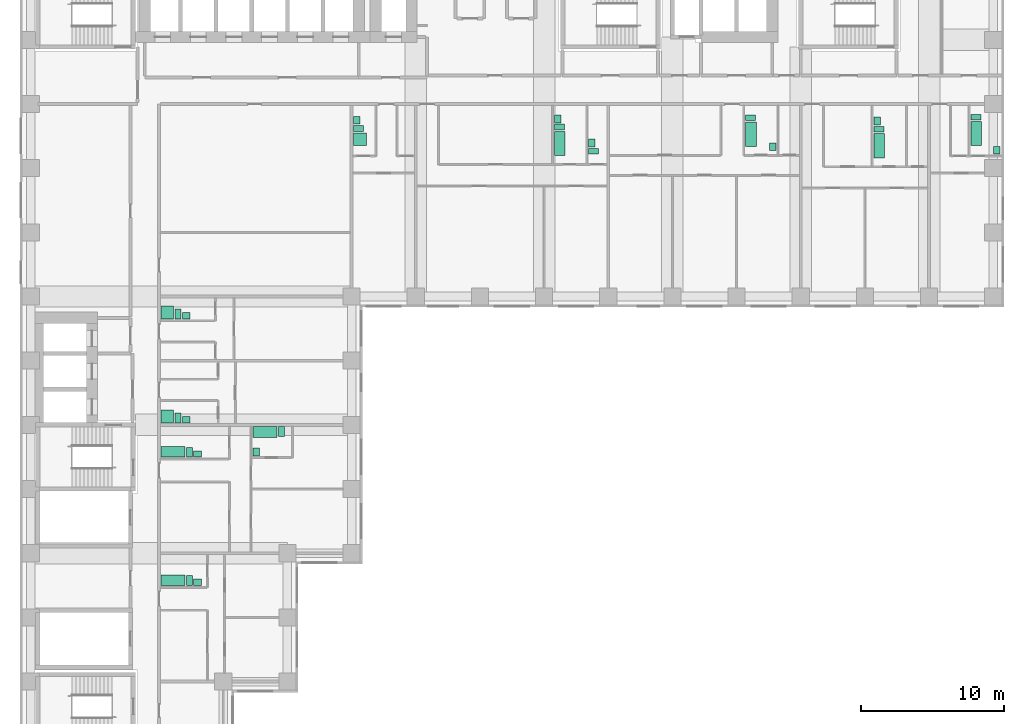
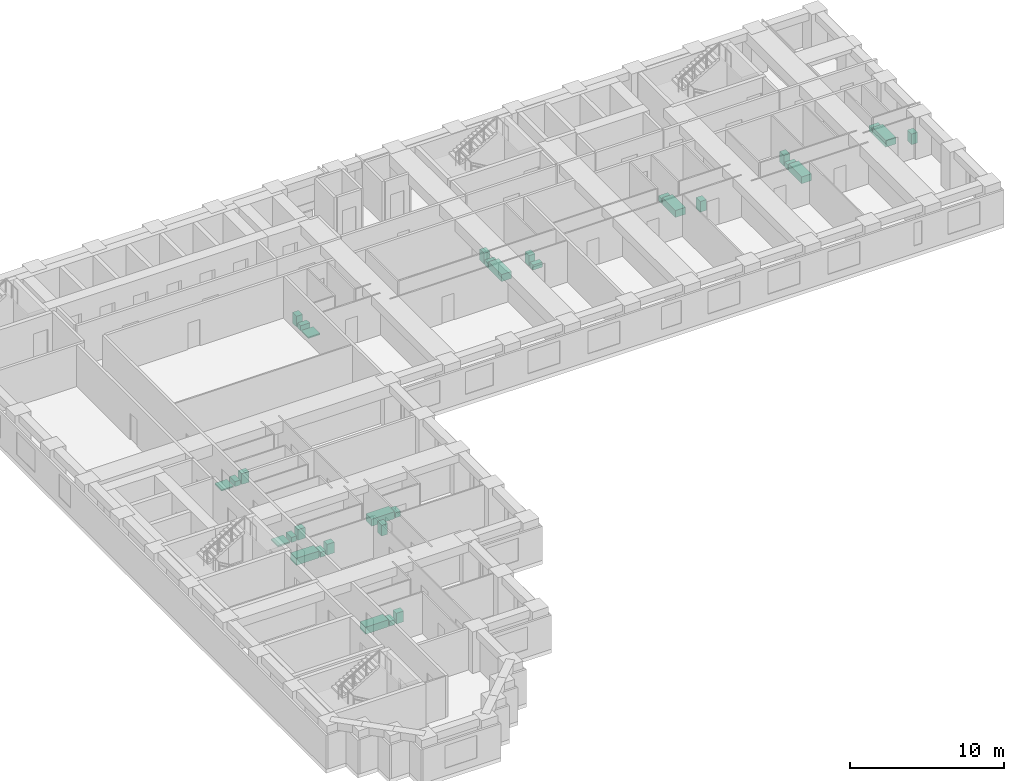
# One storey, part 11 of 11: 32 sanitary terminals.
"""IFC4 building model written with IfcOpenShell, lengths in metres."""

import ifcopenshell
import ifcopenshell.guid

model = None  # the IFC model being written
_history = None  # IfcOwnerHistory: only IFC2X3 demands one
_inside = {}  # id of a spatial element -> (the spatial element, [elements in it])
_under = {}  # id of a project, library or spatial element -> (it, [spatial elements below it])
_declared = {}  # id of a project -> (the project, [libraries it declares])
_typed = {}  # id of a type object -> (the type object, [elements of that type])
_made_of = {}  # id of a material, layer set ... -> (it, [elements and type objects made of it])


def new_model(schema):
    """Start an empty IFC model of exactly this schema.

    Asked for "IFC4X3", IfcOpenShell would pick the latest addendum, in which some entities
    have other attributes; the version numbers below select the first issue.
    IFC2X3 requires an IfcOwnerHistory on every rooted entity: one is made here for all.
    """
    global model, _history
    if schema == "IFC4X3":
        model = ifcopenshell.file(schema_version=(4, 3, 0, 0))
    else:
        model = ifcopenshell.file(schema=schema)
    _inside.clear()
    _under.clear()
    _declared.clear()
    _typed.clear()
    _made_of.clear()
    _history = None
    if model.schema == "IFC2X3":
        org = make("IfcOrganization", Name="unknown")
        user = make(
            "IfcPersonAndOrganization",
            ThePerson=make("IfcPerson", FamilyName="unknown"),
            TheOrganization=org,
        )
        app = make(
            "IfcApplication",
            ApplicationDeveloper=org,
            Version="unknown",
            ApplicationFullName="unknown",
            ApplicationIdentifier="unknown",
        )
        _history = make(
            "IfcOwnerHistory",
            OwningUser=user,
            OwningApplication=app,
            ChangeAction="ADDED",
            CreationDate=0,
        )
    return model


def make(cls, **values):
    """One entity of the class cls with the attributes given. An attribute that is None is left unset."""
    return model.create_entity(
        cls, **{name: value for name, value in values.items() if value is not None}
    )


def rooted(cls, **values):
    """An entity with a GlobalId (a new one), such as an element, a storey or a relation."""
    return make(cls, GlobalId=ifcopenshell.guid.new(), OwnerHistory=_history, **values)


def si_unit(unit_type, name, prefix=None):
    """IfcSIUnit, for example si_unit("LENGTHUNIT", "METRE", prefix="MILLI")."""
    return make("IfcSIUnit", UnitType=unit_type, Prefix=prefix, Name=name)


def assignment(units):
    """IfcUnitAssignment: the units of a project."""
    return None if units is None else make("IfcUnitAssignment", Units=units)


def point(xyz):
    """IfcCartesianPoint."""
    return None if xyz is None else make("IfcCartesianPoint", Coordinates=xyz)


def direction(xyz):
    """IfcDirection."""
    return None if xyz is None else make("IfcDirection", DirectionRatios=xyz)


def frame(location, z_axis=None, x_axis=None):
    """IfcAxis2Placement3D, a coordinate frame: its origin and axes. An axis left out is left unset."""
    return make(
        "IfcAxis2Placement3D",
        Location=point(location),
        Axis=direction(z_axis),
        RefDirection=direction(x_axis),
    )


def frame_2d(location, x_axis=None):
    """IfcAxis2Placement2D, a coordinate frame in the plane: its origin and x axis."""
    return make(
        "IfcAxis2Placement2D", Location=point(location), RefDirection=direction(x_axis)
    )


def origin():
    """The frame at (0, 0, 0) with its axes left unset."""
    return frame((0.0, 0.0, 0.0))


def origin_2d():
    """The frame at (0, 0) in the plane with its x axis left unset."""
    return frame_2d((0.0, 0.0))


def place(relative_to, where):
    """IfcLocalPlacement: puts the frame where relative to a parent placement (None: the world)."""
    return make(
        "IfcLocalPlacement", PlacementRelTo=relative_to, RelativePlacement=where
    )


def context(
    kind, dimensions, precision=None, world=None, true_north=None, identifier=None
):
    """IfcGeometricRepresentationContext, for example the 3D "Model" context."""
    return make(
        "IfcGeometricRepresentationContext",
        ContextIdentifier=identifier,
        ContextType=kind,
        CoordinateSpaceDimension=dimensions,
        Precision=precision,
        WorldCoordinateSystem=world,
        TrueNorth=true_north,
    )


def subcontext(parent, identifier, kind, view, scale=None):
    """IfcGeometricRepresentationSubContext, for example "Body" below "Model"."""
    return make(
        "IfcGeometricRepresentationSubContext",
        ContextIdentifier=identifier,
        ContextType=kind,
        ParentContext=parent,
        TargetScale=scale,
        TargetView=view,
    )


def project(units=None, contexts=None):
    """IfcProject with its units and contexts."""
    return rooted(
        "IfcProject",
        Name="project",
        RepresentationContexts=contexts,
        UnitsInContext=assignment(units),
    )


def spatial(cls, under=None, at=None, **own):
    """A site, building, storey or space (cls), placed at a placement, below another one or the project."""
    s = rooted(cls, ObjectPlacement=at, **own)
    if under is not None:
        _under.setdefault(under.id(), (under, []))[1].append(s)
    return s


def profile(cls, at=None, kind="AREA", **sizes):
    """A parametric profile (cls). Its sizes go by their IFC names, for example OverallWidth=200.0."""
    return make(cls, ProfileType=kind, Position=at, **sizes)


def rectangle(**sizes):
    """IfcRectangleProfileDef."""
    return profile("IfcRectangleProfileDef", **sizes)


def extrude(swept, where, along, depth):
    """IfcExtrudedAreaSolid: the profile swept, set in the frame where, extruded along a direction by depth."""
    return make(
        "IfcExtrudedAreaSolid",
        SweptArea=swept,
        Position=where,
        ExtrudedDirection=direction(along),
        Depth=depth,
    )


def shape(context_of_items, identifier, shape_type, items):
    """IfcShapeRepresentation: the items that make up one representation, for example the "Body"."""
    return make(
        "IfcShapeRepresentation",
        ContextOfItems=context_of_items,
        RepresentationIdentifier=identifier,
        RepresentationType=shape_type,
        Items=items,
    )


def material(Name=None, Category=None):
    """IfcMaterial."""
    return make("IfcMaterial", Name=Name, Category=Category)


def made_of(thing, what):
    """Note that an element or type object is made of a material, layer set ...; save() writes the relation."""
    if what is not None:
        _made_of.setdefault(what.id(), (what, []))[1].append(thing)
    return thing


def type_object(cls, material=None, **own):
    """A type object (cls), such as IfcWallType, which elements share."""
    return made_of(rooted(cls, **own), material)


def element(
    cls,
    number,
    at=None,
    inside=None,
    cuts=None,
    type_object=None,
    material=None,
    context=None,
    identifier="Body",
    shape_type=None,
    held_by="IfcProductDefinitionShape",
    body=None,
    shapes=None,
    **own,
):
    """One element of the class cls, such as IfcWall. Its Tag is "e" and its number.

    at: its placement. inside: the storey or other place that contains it. cuts: it is an
    opening in that element (IfcRelVoidsElement). A single representation is given by context,
    identifier, shape_type and body (its items); several are given by shapes. held_by: the class
    of the entity that holds the representations. save() writes the other relations.
    """
    e = rooted(cls, Tag="e%d" % number, ObjectPlacement=at, **own)
    if body is not None:
        shapes = [shape(context, identifier, shape_type, body)]
    if shapes is not None:
        e.Representation = make(held_by, Representations=shapes)
    if inside is not None:
        _inside.setdefault(inside.id(), (inside, []))[1].append(e)
    if cuts is not None:
        rooted(
            "IfcRelVoidsElement", RelatingBuildingElement=cuts, RelatedOpeningElement=e
        )
    if type_object is not None:
        _typed.setdefault(type_object.id(), (type_object, []))[1].append(e)
    return made_of(e, material)


def aggregate(whole, parts):
    """IfcRelAggregates: a whole, such as a stair, and the parts it consists of."""
    return rooted("IfcRelAggregates", RelatingObject=whole, RelatedObjects=parts)


def save(model, path):
    """Write the relations noted so far, then the file.

    IfcRelAggregates (storeys below a building ...), IfcRelContainedInSpatialStructure (elements
    in a storey), IfcRelDefinesByType, IfcRelAssociatesMaterial and IfcRelDeclares: one each for
    every whole, place, type object, material and project.
    """
    for whole, parts in _under.values():
        aggregate(whole, parts)
    for where, things in _inside.values():
        rooted(
            "IfcRelContainedInSpatialStructure",
            RelatedElements=things,
            RelatingStructure=where,
        )
    for kind, things in _typed.values():
        rooted("IfcRelDefinesByType", RelatedObjects=things, RelatingType=kind)
    for what, things in _made_of.values():
        rooted("IfcRelAssociatesMaterial", RelatedObjects=things, RelatingMaterial=what)
    for by, libraries in _declared.values():
        rooted("IfcRelDeclares", RelatingContext=by, RelatedDefinitions=libraries)
    model.write(path)


model = new_model("IFC4")

# Units and contexts
model_context = context("Model", 3, precision=1e-05, world=origin(), true_north=direction((0.0, 1.0)))
body_context = subcontext(model_context, "Body", "Model", "MODEL_VIEW")
ifc_project = project(units=[si_unit("LENGTHUNIT", "METRE"), si_unit("AREAUNIT", "SQUARE_METRE"), si_unit("VOLUMEUNIT", "CUBIC_METRE"), si_unit("PLANEANGLEUNIT", "RADIAN"), si_unit("MASSUNIT", "GRAM", prefix="KILO")], contexts=[model_context])

# Site, building, storey
site_placement = place(None, origin())
site = spatial("IfcSite", under=ifc_project, at=site_placement, CompositionType="ELEMENT")
building_placement = place(site_placement, origin())
building = spatial("IfcBuilding", under=site, at=building_placement, Name="Firuza Court", CompositionType="ELEMENT")
storey_placement = place(building_placement, frame((0.0, 0.0, 61.39990234375)))
storey = spatial("IfcBuildingStorey", under=building, at=storey_placement, Name="L14", CompositionType="ELEMENT", Elevation=61.39990234375)

# Sanitary terminals
ifc_material_1 = material(Name="Vitreous china", Category="ceramic")
sanitary_terminal_type_1 = type_object("IfcSanitaryTerminalType", Name="Fixture Bath", PredefinedType="BATH", material=ifc_material_1)
for number, where, z_axis, x_axis, name in (
    (1, (37.10498046875, 46.72998046875, 0.0), (0.0, 0.0, 1.0), (1.0, 0.0, 0.0), "Bath"),
    (2, (50.5048828125, 47.3798828125, 0.0), (0.0, 0.0, 1.0), (1.0, 0.0, 0.0), "Bath"),
    (3, (59.5048828125, 46.580078125, 0.0), (0.0, 0.0, 1.0), (1.0, 0.0, 0.0), "Bath"),
    (4, (66.304931640625, 47.429931640625, 0.0), (0.0, 0.0, 1.0), (1.0, 0.0, 0.0), "Bath"),
):
    element("IfcSanitaryTerminal", number, at=place(storey_placement, frame(where, z_axis=z_axis, x_axis=x_axis)), inside=storey, type_object=sanitary_terminal_type_1, Name=name, PredefinedType="BATH", context=body_context, shape_type="SweptSolid", body=[
        extrude(rectangle(XDim=0.75, YDim=1.699951171875, at=origin_2d()), origin(), (0.0, 0.0, 1.0), 0.550048828125),
    ])
for number, where, z_axis, x_axis, name in (
    (5, (9.97998046875, 25.10498046875, 0.0), (0.0, 0.0, 1.0), (1.0, 0.0, 0.0), "Bath"),
    (6, (16.429931640625, 26.4951171875, 0.0), (0.0, 0.0, 1.0), (1.0, 0.0, 0.0), "Bath"),
    (7, (9.97998046875, 16.10498046875, 0.0), (0.0, 0.0, 1.0), (1.0, 0.0, 0.0), "Bath"),
):
    element("IfcSanitaryTerminal", number, at=place(storey_placement, frame(where, z_axis=z_axis, x_axis=x_axis)), inside=storey, type_object=sanitary_terminal_type_1, Name=name, PredefinedType="BATH", context=body_context, shape_type="SweptSolid", body=[
        extrude(rectangle(XDim=1.699951171875, YDim=0.75, at=origin_2d()), origin(), (0.0, 0.0, 1.0), 0.550048828125),
    ])
ifc_material_2 = material(Name="Vitreous china", Category="ceramic")
sanitary_terminal_type_2 = type_object("IfcSanitaryTerminalType", Name="Fixture Shower tray", PredefinedType="SHOWER", material=ifc_material_2)
for number, where, z_axis, x_axis, name in (
    (8, (23.080078125, 47.030029296875, 0.0), (0.0, 0.0, 1.0), (1.0, 0.0, 0.0), "Shower tray"),
    (9, (9.580078125, 34.8798828125, 0.0), (0.0, 0.0, 1.0), (1.0, 0.0, 0.0), "Shower tray"),
    (10, (9.580078125, 27.580078125, 0.0), (0.0, 0.0, 1.0), (1.0, 0.0, 0.0), "Shower tray"),
):
    element("IfcSanitaryTerminal", number, at=place(storey_placement, frame(where, z_axis=z_axis, x_axis=x_axis)), inside=storey, type_object=sanitary_terminal_type_2, Name=name, PredefinedType="SHOWER", context=body_context, shape_type="SweptSolid", body=[
        extrude(rectangle(XDim=0.89990234375, YDim=0.89990234375, at=origin_2d()), origin(), (0.0, 0.0, 1.0), 0.10009765625),
    ])
ifc_material_3 = material(Name="Vitreous china", Category="ceramic")
sanitary_terminal_type_3 = type_object("IfcSanitaryTerminalType", Name="Fixture WC pan", PredefinedType="TOILETPAN", material=ifc_material_3)
for number, where, z_axis, x_axis, name in (
    (11, (22.97998046875, 47.780029296875, 0.000244140625), (0.0, 0.0, 1.0), (1.0, 0.0, 0.0), "WC pan"),
    (12, (37.080078125, 47.8798828125, 0.000244140625), (0.0, 0.0, 1.0), (1.0, 0.0, 0.0), "WC pan"),
    (13, (39.47998046875, 46.179931640625, 0.000244140625), (0.0, 0.0, 1.0), (1.0, 0.0, 0.0), "WC pan"),
    (14, (50.47998046875, 48.530029296875, 0.000244140625), (0.0, 0.0, 1.0), (1.0, 0.0, 0.0), "WC pan"),
    (15, (59.47998046875, 47.72998046875, 0.000244140625), (0.0, 0.0, 1.0), (1.0, 0.0, 0.0), "WC pan"),
    (16, (66.280029296875, 48.580078125, 0.000244140625), (0.0, 0.0, 1.0), (1.0, 0.0, 0.0), "WC pan"),
):
    element("IfcSanitaryTerminal", number, at=place(storey_placement, frame(where, z_axis=z_axis, x_axis=x_axis)), inside=storey, type_object=sanitary_terminal_type_3, Name=name, PredefinedType="TOILETPAN", context=body_context, shape_type="SweptSolid", body=[
        extrude(rectangle(XDim=0.699951171875, YDim=0.39990234375, at=origin_2d()), origin(), (0.0, 0.0, 1.0), 0.39990234375),
    ])
for number, where, z_axis, x_axis, name in (
    (17, (10.330078125, 34.780029296875, 0.000244140625), (0.0, 0.0, 1.0), (1.0, 0.0, 0.0), "WC pan"),
    (18, (10.330078125, 27.47998046875, 0.000244140625), (0.0, 0.0, 1.0), (1.0, 0.0, 0.0), "WC pan"),
    (19, (11.1298828125, 25.080078125, 0.000244140625), (0.0, 0.0, 1.0), (1.0, 0.0, 0.0), "WC pan"),
    (20, (17.580078125, 26.52001953125, 0.000244140625), (0.0, 0.0, 1.0), (1.0, 0.0, 0.0), "WC pan"),
    (21, (11.1298828125, 16.080078125, 0.000244140625), (0.0, 0.0, 1.0), (1.0, 0.0, 0.0), "WC pan"),
):
    element("IfcSanitaryTerminal", number, at=place(storey_placement, frame(where, z_axis=z_axis, x_axis=x_axis)), inside=storey, type_object=sanitary_terminal_type_3, Name=name, PredefinedType="TOILETPAN", context=body_context, shape_type="SweptSolid", body=[
        extrude(rectangle(XDim=0.39990234375, YDim=0.699951171875, at=origin_2d()), origin(), (0.0, 0.0, 1.0), 0.39990234375),
    ])
ifc_material_4 = material(Name="Vitreous china", Category="ceramic")
sanitary_terminal_type_4 = type_object("IfcSanitaryTerminalType", Name="Fixture Washbasin", PredefinedType="WASHHANDBASIN", material=ifc_material_4)
for number, where, z_axis, x_axis, name in (
    (22, (22.85498046875, 48.35498046875, 0.0), (0.0, 0.0, 1.0), (1.0, 0.0, 0.0), "Washbasin"),
    (23, (36.955078125, 48.455078125, 0.0), (0.0, 0.0, 1.0), (1.0, 0.0, 0.0), "Washbasin"),
    (24, (39.35498046875, 46.7548828125, 0.0), (0.0, 0.0, 1.0), (1.0, 0.0, 0.0), "Washbasin"),
    (25, (52.044921875, 46.5048828125, 0.0), (0.0, 0.0, 1.0), (1.0, 0.0, 0.0), "Washbasin"),
    (26, (59.35498046875, 48.304931640625, 0.0), (0.0, 0.0, 1.0), (1.0, 0.0, 0.0), "Washbasin"),
    (27, (67.7451171875, 46.2548828125, 0.0), (0.0, 0.0, 1.0), (1.0, 0.0, 0.0), "Washbasin"),
):
    element("IfcSanitaryTerminal", number, at=place(storey_placement, frame(where, z_axis=z_axis, x_axis=x_axis)), inside=storey, type_object=sanitary_terminal_type_4, Name=name, PredefinedType="WASHHANDBASIN", context=body_context, shape_type="SweptSolid", body=[
        extrude(rectangle(XDim=0.449951171875, YDim=0.550048828125, at=origin_2d()), origin(), (0.0, 0.0, 1.0), 0.85009765625),
    ])
for number, where, z_axis, x_axis, name in (
    (28, (10.905029296875, 34.655029296875, 0.0), (0.0, 0.0, 1.0), (1.0, 0.0, 0.0), "Washbasin"),
    (29, (10.905029296875, 27.35498046875, 0.0), (0.0, 0.0, 1.0), (1.0, 0.0, 0.0), "Washbasin"),
    (30, (11.705078125, 24.955078125, 0.0), (0.0, 0.0, 1.0), (1.0, 0.0, 0.0), "Washbasin"),
):
    element("IfcSanitaryTerminal", number, at=place(storey_placement, frame(where, z_axis=z_axis, x_axis=x_axis)), inside=storey, type_object=sanitary_terminal_type_4, Name=name, PredefinedType="WASHHANDBASIN", context=body_context, shape_type="SweptSolid", body=[
        extrude(rectangle(XDim=0.550048828125, YDim=0.449951171875, at=origin_2d()), origin(), (0.0, 0.0, 1.0), 0.85009765625),
    ])
sanitary_terminal_1_placement = place(storey_placement, frame((15.804931640625, 25.10498046875, 0.0), z_axis=(0.0, 0.0, 1.0), x_axis=(1.0, 0.0, 0.0)))
element("IfcSanitaryTerminal", 31, at=sanitary_terminal_1_placement, inside=storey, type_object=sanitary_terminal_type_4, Name="Washbasin", PredefinedType="WASHHANDBASIN", context=body_context, shape_type="SweptSolid", body=[
    extrude(rectangle(XDim=0.449951171875, YDim=0.550048828125, at=origin_2d()), origin(), (0.0, 0.0, 1.0), 0.85009765625),
])
sanitary_terminal_2_placement = place(storey_placement, frame((11.705078125, 15.955078125, 0.0), z_axis=(0.0, 0.0, 1.0), x_axis=(1.0, 0.0, 0.0)))
element("IfcSanitaryTerminal", 32, at=sanitary_terminal_2_placement, inside=storey, type_object=sanitary_terminal_type_4, Name="Washbasin", PredefinedType="WASHHANDBASIN", context=body_context, shape_type="SweptSolid", body=[
    extrude(rectangle(XDim=0.550048828125, YDim=0.449951171875, at=origin_2d()), origin(), (0.0, 0.0, 1.0), 0.85009765625),
])

save(model, "model.ifc")
